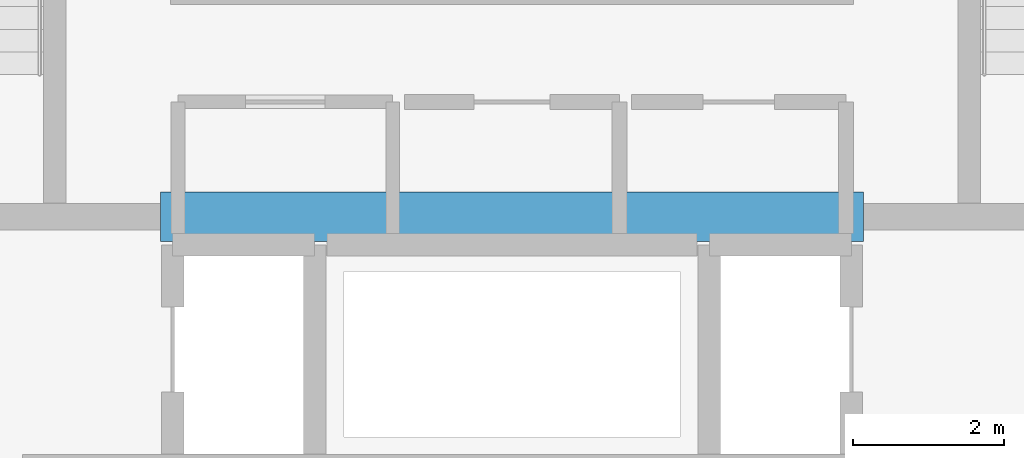
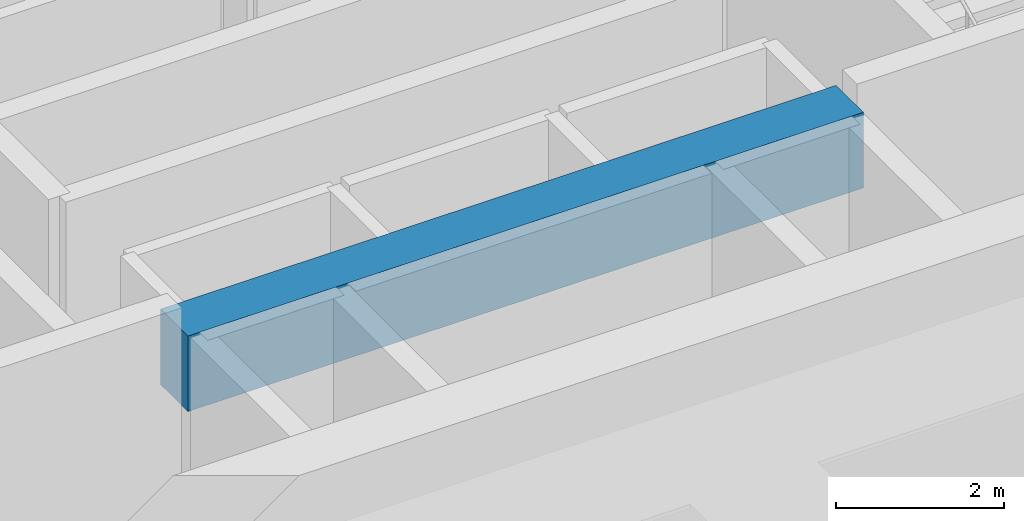
# One storey, part 8 of 33: 1 beam.
"""IFC4 building model written with IfcOpenShell, lengths in metres."""

from ifc_helpers import new_model, si_unit, direction, frame, origin, origin_2d, place, context, subcontext, project, spatial, rectangle, extrude, material, material_profile, profile_set, type_object, element, save


model = new_model("IFC4")

# Units and contexts
model_context = context("Model", 3, precision=1e-05, world=origin(), true_north=direction((0.0, 1.0)))
body_context = subcontext(model_context, "Body", "Model", "MODEL_VIEW")
ifc_project = project(units=[si_unit("LENGTHUNIT", "METRE"), si_unit("AREAUNIT", "SQUARE_METRE"), si_unit("VOLUMEUNIT", "CUBIC_METRE"), si_unit("PLANEANGLEUNIT", "RADIAN"), si_unit("MASSUNIT", "GRAM", prefix="KILO")], contexts=[model_context])

# Site, building, storey
site_placement = place(None, origin())
site = spatial("IfcSite", under=ifc_project, at=site_placement, CompositionType="ELEMENT")
building_placement = place(site_placement, origin())
building = spatial("IfcBuilding", under=site, at=building_placement, Name="Punatoya Terracotta Tower", CompositionType="ELEMENT")
storey_placement = place(building_placement, frame((0.0, 0.0, 121.35009765625)))
storey = spatial("IfcBuildingStorey", under=building, at=storey_placement, Name="L28", CompositionType="ELEMENT", Elevation=121.35009765625)

# Beam
ifc_material = material(Name="Concrete C60/75", Category="concrete")
ifc_material_profile = material_profile(ifc_material, rectangle(XDim=0.64990234375, YDim=1.10009765625, at=origin_2d()))
ifc_profile_set = profile_set([ifc_material_profile], Name="Concrete C60/75")
beam_type = type_object("IfcBeamType", Name="BM-RC-1100", PredefinedType="LINTEL", material=ifc_profile_set)
beam_placement = place(storey_placement, frame((-4.64990234375, -5.679931640625, 3.179931640625), z_axis=(1.0, 0.0, 0.0), x_axis=(0.0, 1.0, 0.0)))
element("IfcBeam", 1, at=beam_placement, inside=storey, type_object=beam_type, Name="L28 Core Coupling Lintel CSW", PredefinedType="LINTEL", context=body_context, shape_type="SweptSolid", body=[
    extrude(rectangle(XDim=0.64990234375, YDim=1.10009765625, at=origin_2d()), origin(), (0.0, 0.0, 1.0), 9.2998046875),
])

save(model, "model.ifc")
